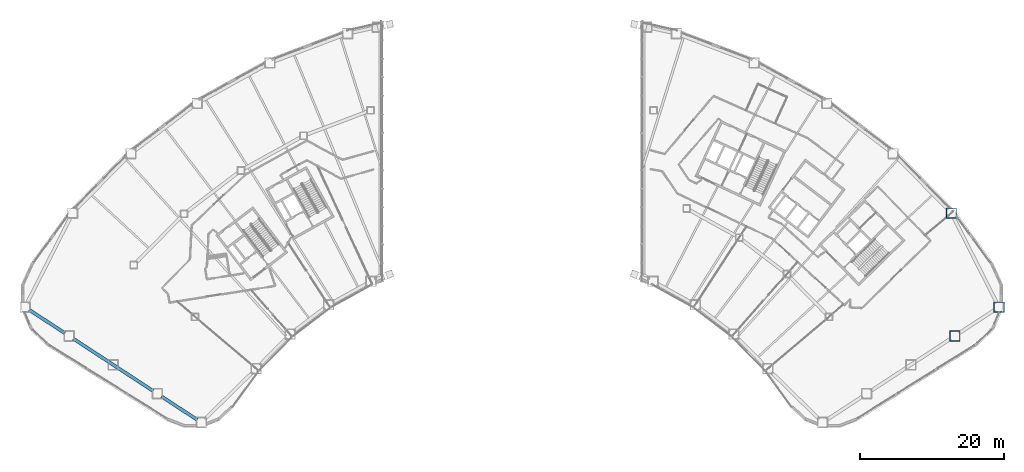
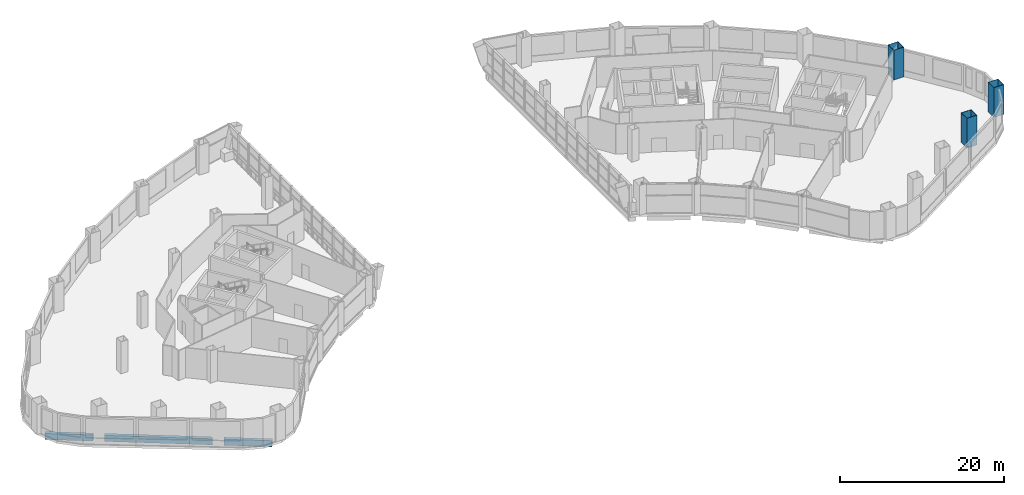
# One storey, part 2 of 26: 3 beams, 3 columns.
"""IFC4 building model written with IfcOpenShell, lengths in metres."""

from ifc_helpers import new_model, si_unit, direction, frame, origin, origin_2d, place, context, subcontext, project, spatial, hollow_rectangle, extrude, material, material_profile, profile_set, type_object, element, save


model = new_model("IFC4")

# Units and contexts
model_context = context("Model", 3, precision=1e-05, world=origin(), true_north=direction((0.0, 1.0)))
body_context = subcontext(model_context, "Body", "Model", "MODEL_VIEW")
ifc_project = project(units=[si_unit("LENGTHUNIT", "METRE"), si_unit("AREAUNIT", "SQUARE_METRE"), si_unit("VOLUMEUNIT", "CUBIC_METRE"), si_unit("PLANEANGLEUNIT", "RADIAN"), si_unit("MASSUNIT", "GRAM", prefix="KILO")], contexts=[model_context])

# Site, building, storey
site_placement = place(None, origin())
site = spatial("IfcSite", under=ifc_project, at=site_placement, CompositionType="ELEMENT")
building_placement = place(site_placement, origin())
building = spatial("IfcBuilding", under=site, at=building_placement, Name="Tuul Gate Civic Tower", CompositionType="ELEMENT")
storey_placement = place(building_placement, frame((0.0, 0.0, 7.5)))
storey = spatial("IfcBuildingStorey", under=building, at=storey_placement, Name="Level 01", CompositionType="ELEMENT", Elevation=7.5)

# Columns
ifc_material_1 = material(Name="Steel S355", Category="steel")
ifc_material_profile_1 = material_profile(ifc_material_1, hollow_rectangle(XDim=1.39990234375, YDim=1.39990234375, WallThickness=0.0400390625, at=origin_2d()), Name="BOX1400x1400x40")
ifc_profile_set_1 = profile_set([ifc_material_profile_1], Name="Steel S355")
column_type = type_object("IfcColumnType", Name="STR-COLUMN-BOX1400x1400x40", PredefinedType="COLUMN", material=ifc_profile_set_1)
for number, where, z_axis, x_axis, name in (
    (1, (67.56201171875, -21.366943359375, 0.0), (0.0, 0.0, 1.0), (1.0, 0.0, 0.0), "Column"),
    (2, (60.9609375, -8.327880859375, 0.0), (0.0, 0.0, 1.0), (1.0, 0.0, 0.0), "Column"),
    (3, (61.447021484375, -25.368896484375, 0.0), (0.0, 0.0, 1.0), (1.0, 0.0, 0.0), "Column"),
):
    element("IfcColumn", number, at=place(storey_placement, frame(where, z_axis=z_axis, x_axis=x_axis)), inside=storey, type_object=column_type, Name=name, PredefinedType="COLUMN", context=body_context, shape_type="SweptSolid", body=[
        extrude(hollow_rectangle(XDim=1.39990234375, YDim=1.39990234375, WallThickness=0.0400390625, at=origin_2d()), origin(), (0.0, 0.0, 1.0), 4.449951171875),
    ])

# Beams
ifc_material_2 = material(Name="Steel S355", Category="steel")
ifc_material_profile_2 = material_profile(ifc_material_2, hollow_rectangle(XDim=0.449951171875, YDim=0.89990234375, WallThickness=0.02490234375, at=origin_2d()), Name="BOX900x450x25")
ifc_profile_set_2 = profile_set([ifc_material_profile_2], Name="Steel S355")
beam_type = type_object("IfcBeamType", Name="STR-SPANDREL BEAM-BOX900x450x25", PredefinedType="BEAM", material=ifc_profile_set_2)
beam_1_placement = place(storey_placement, frame((-66.976318359375, -21.750244140625, -0.800048828125), z_axis=(0.836737319566, -0.547604472265, 0.0), x_axis=(0.547604472265, 0.836737319566, 0.0)))
element("IfcBeam", 4, at=beam_1_placement, inside=storey, type_object=beam_type, Name="Spandrel beam", PredefinedType="BEAM", context=body_context, shape_type="SweptSolid", body=[
    extrude(hollow_rectangle(XDim=0.449951171875, YDim=0.89990234375, WallThickness=0.02490234375, at=origin_2d()), origin(), (0.0, 0.0, 1.0), 5.908203125),
])
beam_2_placement = place(storey_placement, frame((-60.861328125, -25.752197265625, -0.800048828125), z_axis=(0.836741071493, -0.547598739294, 0.0), x_axis=(0.547598739294, 0.836741071493, 0.0)))
element("IfcBeam", 5, at=beam_2_placement, inside=storey, type_object=beam_type, Name="Spandrel beam", PredefinedType="BEAM", context=body_context, shape_type="SweptSolid", body=[
    extrude(hollow_rectangle(XDim=0.449951171875, YDim=0.89990234375, WallThickness=0.02490234375, at=origin_2d()), origin(), (0.0, 0.0, 1.0), 13.215087890625),
])
beam_3_placement = place(storey_placement, frame((-48.63232421875, -33.75537109375, -0.800048828125), z_axis=(0.836737319566, -0.547604472265, 0.0), x_axis=(0.547604472265, 0.836737319566, 0.0)))
element("IfcBeam", 6, at=beam_3_placement, inside=storey, type_object=beam_type, Name="Spandrel beam", PredefinedType="BEAM", context=body_context, shape_type="SweptSolid", body=[
    extrude(hollow_rectangle(XDim=0.449951171875, YDim=0.89990234375, WallThickness=0.02490234375, at=origin_2d()), origin(), (0.0, 0.0, 1.0), 5.908203125),
])

save(model, "model.ifc")
